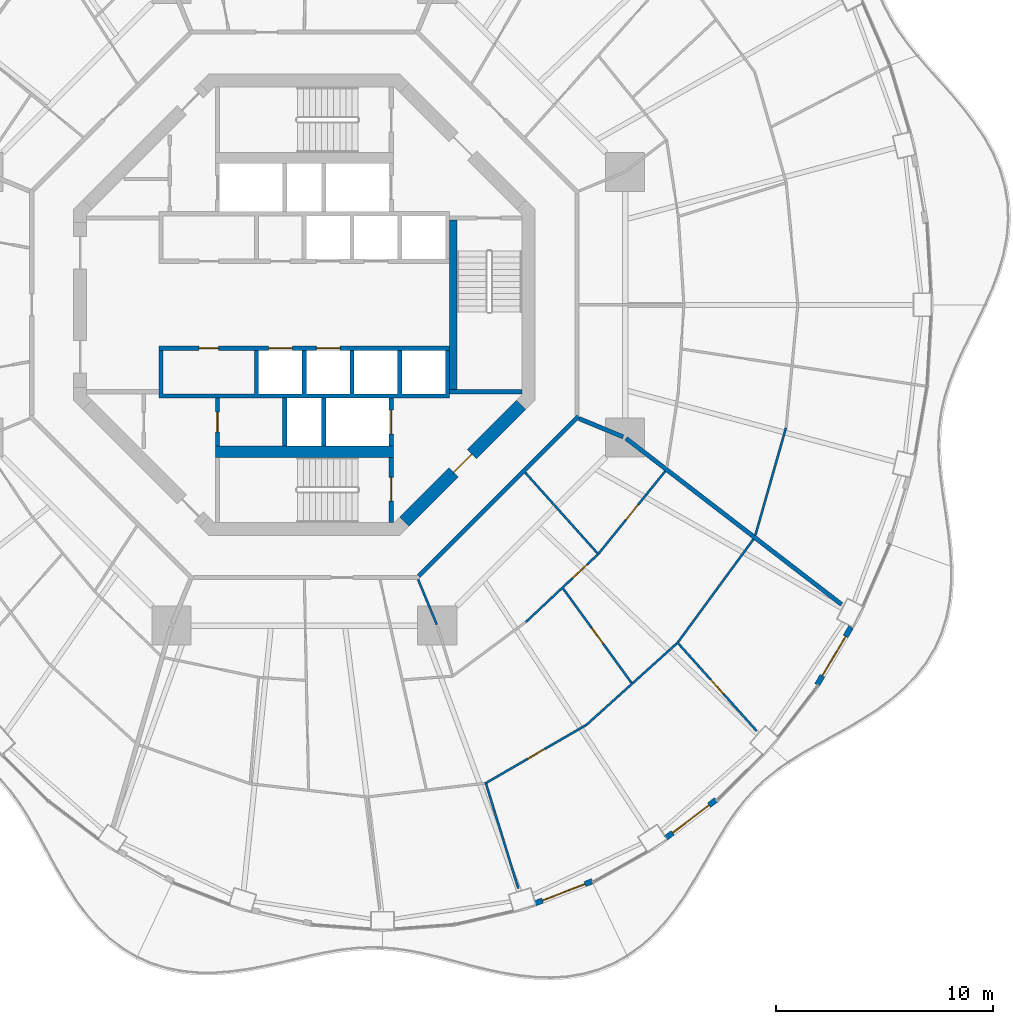
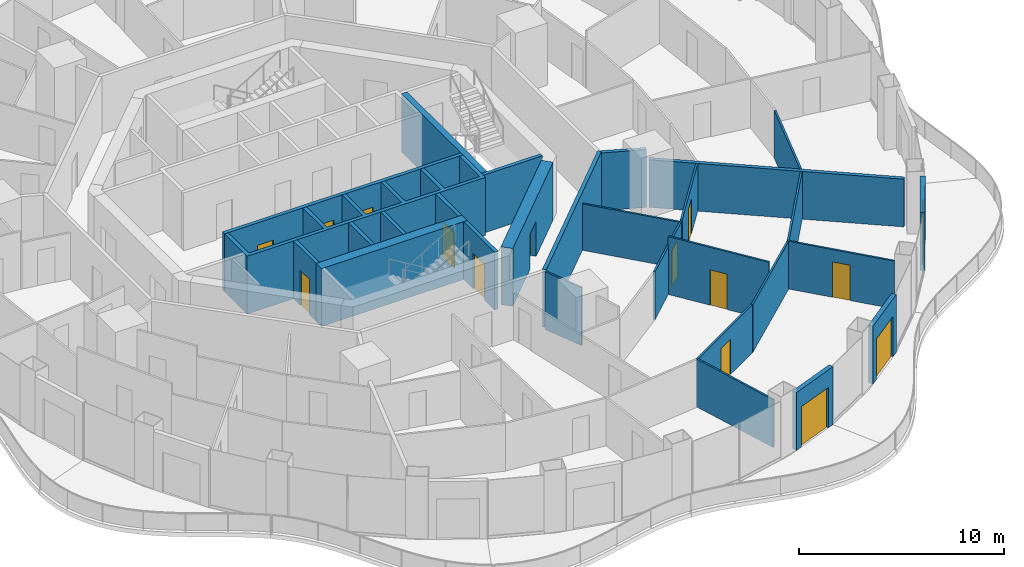
# One storey, part 12 of 19: 28 walls, 15 doors, 15 openings.
"""IFC4 building model written with IfcOpenShell, lengths in metres."""

from ifc_helpers import new_model, si_unit, direction, frame, frame_2d, origin, place, context, subcontext, project, spatial, polyline, rectangle, outline, extrude, material, layer, layer_set, type_object, element, fill, save


model = new_model("IFC4")

# Units and contexts
model_context = context("Model", 3, precision=1e-05, world=origin(), true_north=direction((0.0, 1.0)))
body_context = subcontext(model_context, "Body", "Model", "MODEL_VIEW")
ifc_project = project(units=[si_unit("LENGTHUNIT", "METRE"), si_unit("AREAUNIT", "SQUARE_METRE"), si_unit("VOLUMEUNIT", "CUBIC_METRE"), si_unit("PLANEANGLEUNIT", "RADIAN"), si_unit("MASSUNIT", "GRAM", prefix="KILO")], contexts=[model_context])

# Site, building, storey
site_placement = place(None, origin())
site = spatial("IfcSite", under=ifc_project, at=site_placement, CompositionType="ELEMENT")
building_placement = place(site_placement, origin())
building = spatial("IfcBuilding", under=site, at=building_placement, Name="Nagisa Residences", CompositionType="ELEMENT")
storey_placement = place(building_placement, frame((0.0, 0.0, 188.10009765625)))
storey = spatial("IfcBuildingStorey", under=building, at=storey_placement, Name="L47", CompositionType="ELEMENT", Elevation=188.10009765625)

# Walls
ifc_material_1 = material(Name="Gypsum board on steel studs", Category="steel")
ifc_layer_1 = layer(ifc_material_1, 0.199951171875)
ifc_layer_set_1 = layer_set([ifc_layer_1], Name="Apartment compartment wall EI60 200")
wall_type_1 = type_object("IfcWallType", Name="Apartment compartment wall EI60 200", PredefinedType="PARTITIONING", material=ifc_layer_set_1)
wall_1_placement = place(storey_placement, frame((12.6572265625, -5.24267578125, 0.0), z_axis=(0.0, 0.0, 1.0), x_axis=(0.92383017907, -0.382802560388, 0.0)))
element("IfcWall", 1, at=wall_1_placement, inside=storey, type_object=wall_type_1, Name="wall:L47:u08", PredefinedType="PARTITIONING", context=body_context, shape_type="SweptSolid", body=[
    extrude(rectangle(XDim=2.2001953125, YDim=0.199951171875, at=frame_2d((1.10009765625, 0.0))), origin(), (0.0, 0.0, 1.0), 3.43994140625),
])
wall_2_placement = place(storey_placement, frame((14.82177734375, -6.153564453125, 0.0), z_axis=(0.0, 0.0, 1.0), x_axis=(0.792203056092, -0.610257583254, 0.0)))
element("IfcWall", 2, at=wall_2_placement, inside=storey, type_object=wall_type_1, Name="wall:L47:u09", PredefinedType="PARTITIONING", context=body_context, shape_type="SweptSolid", body=[
    extrude(rectangle(XDim=12.53271484375, YDim=0.199951171875, at=frame_2d((6.266357421875, 0.0))), origin(), (0.0, 0.0, 1.0), 2.8369140625),
])
ifc_material_2 = material(Name="Gypsum board on steel studs", Category="steel")
ifc_layer_2 = layer(ifc_material_2, 0.199951171875)
ifc_layer_set_2 = layer_set([ifc_layer_2], Name="Apartment entry wall EI60 200")
wall_type_2 = type_object("IfcWallType", Name="Apartment entry wall EI60 200", PredefinedType="PARTITIONING", material=ifc_layer_set_2)
wall_3_placement = place(storey_placement, frame((5.275146484375, -12.494140625, 0.0), z_axis=(0.0, 0.0, 1.0), x_axis=(0.707106781187, 0.707106781187, 0.0)))
element("IfcWall", 3, at=wall_3_placement, inside=storey, type_object=wall_type_2, Name="wall:L47:u17", PredefinedType="PARTITIONING", context=body_context, shape_type="SweptSolid", body=[
    extrude(rectangle(XDim=10.4091796875, YDim=0.199951171875, at=frame_2d((5.20458984375, 0.0))), origin(), (0.0, 0.0, 1.0), 3.43994140625),
])
ifc_material_3 = material(Name="Gypsum board on steel studs", Category="steel")
ifc_layer_3 = layer(ifc_material_3, 0.10009765625)
ifc_layer_set_3 = layer_set([ifc_layer_3], Name="Apartment partition 100")
wall_type_3 = type_object("IfcWallType", Name="Apartment partition 100", PredefinedType="PARTITIONING", material=ifc_layer_set_3)
wall_4_placement = place(storey_placement, frame((5.24267578125, -12.6572265625, 0.0), z_axis=(0.0, 0.0, 1.0), x_axis=(0.382719158442, -0.923864733477, 0.0)))
element("IfcWall", 4, at=wall_4_placement, inside=storey, type_object=wall_type_3, Name="wall:L47:u82", PredefinedType="PARTITIONING", context=body_context, shape_type="SweptSolid", body=[
    extrude(rectangle(XDim=2.25, YDim=0.10009765625, at=frame_2d((1.125, 0.0))), origin(), (0.0, 0.0, 1.0), 3.43994140625),
])
wall_5_placement = place(storey_placement, frame((8.346923828125, -21.990478515625, 0.0), z_axis=(0.0, 0.0, 1.0), x_axis=(0.294828785667, -0.955550096616, 0.0)))
element("IfcWall", 5, at=wall_5_placement, inside=storey, type_object=wall_type_3, Name="wall:L47:u85", PredefinedType="PARTITIONING", context=body_context, shape_type="SweptSolid", body=[
    extrude(rectangle(XDim=5.125732421875, YDim=0.10009765625, at=frame_2d((2.56298828125, 0.0))), origin(), (0.0, 0.0, 1.0), 2.8369140625),
])

# Wall, opening, door
wall_6_placement = place(storey_placement, frame((8.405029296875, -22.01318359375, 0.0), z_axis=(0.0, 0.0, 1.0), x_axis=(0.865277177388, 0.501293732547, 0.0)))
wall_6 = element("IfcWall", 6, at=wall_6_placement, inside=storey, type_object=wall_type_3, Name="wall:L47:u86", PredefinedType="PARTITIONING", context=body_context, shape_type="SweptSolid", body=[
    extrude(rectangle(XDim=5.27001953125, YDim=0.10009765625, at=frame_2d((2.635009765625, 0.0))), origin(), (0.0, 0.0, 1.0), 2.8369140625),
])
opening_1_placement = place(wall_6_placement, frame((2.18505859375, 0.0, 0.0)))
opening_1 = element("IfcOpeningElement", 7, at=opening_1_placement, cuts=wall_6, Name="Opening L47-U29", PredefinedType="OPENING", context=body_context, shape_type="SweptSolid", body=[
    extrude(rectangle(XDim=0.89990234375, YDim=2.10009765625, at=frame_2d((0.449951171875, 1.050048828125))), frame((0.0, 0.06005859375, 0.0), z_axis=(0.0, -1.0, 0.0), x_axis=(1.0, 0.0, 0.0)), (0.0, 0.0, 1.0), 0.1201171875),
])
ifc_material_4 = material(Name="Timber door set", Category="wood")
door_type_1 = type_object("IfcDoorType", Name="Apartment door 900x2100", OperationType="NOTDEFINED", PredefinedType="DOOR", material=ifc_material_4)
door_1_placement = place(opening_1_placement, frame((0.89990234375, 0.0, 0.0), x_axis=(-1.0, 0.0, 0.0)))
door_1 = element("IfcDoor", 8, at=door_1_placement, inside=storey, type_object=door_type_1, Name="Door to family room, Apartment 47C", OperationType="SINGLE_SWING_RIGHT", OverallHeight=2.10009765625, OverallWidth=0.89990234375, PredefinedType="DOOR", context=body_context, shape_type="SweptSolid", body=[
    extrude(rectangle(XDim=0.89990234375, YDim=2.10009765625, at=frame_2d((0.449951171875, 1.050048828125))), frame((0.0, 0.02490234375, 0.0), z_axis=(0.0, -1.0, 0.0), x_axis=(1.0, 0.0, 0.0)), (0.0, 0.0, 1.0), 0.050048828125),
])
fill(opening_1, door_1)

wall_7_placement = place(storey_placement, frame((10.21044921875, -14.614013671875, 0.0), z_axis=(0.0, 0.0, 1.0), x_axis=(0.728883199496, 0.684638066055, 0.0)))
wall_7 = element("IfcWall", 9, at=wall_7_placement, inside=storey, type_object=wall_type_3, Name="wall:L47:u87", PredefinedType="PARTITIONING", context=body_context, shape_type="SweptSolid", body=[
    extrude(rectangle(XDim=4.519287109375, YDim=0.10009765625, at=frame_2d((2.259765625, 0.0))), origin(), (0.0, 0.0, 1.0), 2.8369140625),
])
opening_2_placement = place(wall_7_placement, frame((2.96435546875, 0.0, 0.0)))
opening_2 = element("IfcOpeningElement", 10, at=opening_2_placement, cuts=wall_7, Name="Opening L47-U31", PredefinedType="OPENING", context=body_context, shape_type="SweptSolid", body=[
    extrude(rectangle(XDim=0.89990234375, YDim=2.10009765625, at=frame_2d((0.449951171875, 1.050048828125))), frame((0.0, 0.06005859375, 0.0), z_axis=(0.0, -1.0, 0.0), x_axis=(1.0, 0.0, 0.0)), (0.0, 0.0, 1.0), 0.1201171875),
])
door_2_placement = place(opening_2_placement, origin())
door_2 = element("IfcDoor", 11, at=door_2_placement, inside=storey, type_object=door_type_1, Name="Door to store, Apartment 47C", OperationType="SINGLE_SWING_LEFT", OverallHeight=2.10009765625, OverallWidth=0.89990234375, PredefinedType="DOOR", context=body_context, shape_type="SweptSolid", body=[
    extrude(rectangle(XDim=0.89990234375, YDim=2.10009765625, at=frame_2d((0.449951171875, 1.050048828125))), frame((0.0, 0.02490234375, 0.0), z_axis=(0.0, -1.0, 0.0), x_axis=(1.0, 0.0, 0.0)), (0.0, 0.0, 1.0), 0.050048828125),
])
fill(opening_2, door_2)

# Wall
wall_8_placement = place(storey_placement, frame((12.97119140625, -19.3798828125, 0.0), z_axis=(0.0, 0.0, 1.0), x_axis=(0.742768881471, 0.669547898748, 0.0)))
element("IfcWall", 12, at=wall_8_placement, inside=storey, type_object=wall_type_3, Name="wall:L47:u88", PredefinedType="PARTITIONING", context=body_context, shape_type="SweptSolid", body=[
    extrude(rectangle(XDim=5.6416015625, YDim=0.10009765625, at=frame_2d((2.82080078125, 0.0))), origin(), (0.0, 0.0, 1.0), 2.8369140625),
])

# Wall, opening, door
wall_9_placement = place(storey_placement, frame((11.923095703125, -13.0732421875, 0.0), z_axis=(0.0, 0.0, 1.0), x_axis=(0.587178522891, -0.809457461672, 0.0)))
wall_9 = element("IfcWall", 13, at=wall_9_placement, inside=storey, type_object=wall_type_3, Name="wall:L47:u89", PredefinedType="PARTITIONING", context=body_context, shape_type="SweptSolid", body=[
    extrude(rectangle(XDim=5.366455078125, YDim=0.10009765625, at=frame_2d((2.68310546875, 0.0))), origin(), (0.0, 0.0, 1.0), 3.43994140625),
])
opening_3_placement = place(wall_9_placement, frame((2.233154296875, 0.0, 0.0)))
opening_3 = element("IfcOpeningElement", 14, at=opening_3_placement, cuts=wall_9, Name="Opening L47-U26", PredefinedType="OPENING", context=body_context, shape_type="SweptSolid", body=[
    extrude(rectangle(XDim=0.89990234375, YDim=2.10009765625, at=frame_2d((0.449951171875, 1.050048828125))), frame((0.0, 0.06005859375, 0.0), z_axis=(0.0, -1.0, 0.0), x_axis=(1.0, 0.0, 0.0)), (0.0, 0.0, 1.0), 0.1201171875),
])
door_3_placement = place(opening_3_placement, origin())
door_3 = element("IfcDoor", 15, at=door_3_placement, inside=storey, type_object=door_type_1, Name="Door to kitchen, Apartment 47C", OperationType="SINGLE_SWING_RIGHT", OverallHeight=2.10009765625, OverallWidth=0.89990234375, PredefinedType="DOOR", context=body_context, shape_type="SweptSolid", body=[
    extrude(rectangle(XDim=0.89990234375, YDim=2.10009765625, at=frame_2d((0.449951171875, 1.050048828125))), frame((0.0, 0.02490234375, 0.0), z_axis=(0.0, -1.0, 0.0), x_axis=(1.0, 0.0, 0.0)), (0.0, 0.0, 1.0), 0.050048828125),
])
fill(opening_3, door_3)

# Wall
wall_10_placement = place(storey_placement, frame((10.177978515625, -7.732421875, 0.0), z_axis=(0.0, 0.0, 1.0), x_axis=(0.667285466359, -0.744802058527, 0.0)))
element("IfcWall", 16, at=wall_10_placement, inside=storey, type_object=wall_type_3, Name="wall:L47:u90", PredefinedType="PARTITIONING", context=body_context, shape_type="SweptSolid", body=[
    extrude(rectangle(XDim=5.089599609375, YDim=0.10009765625, at=frame_2d((2.544921875, 0.0))), origin(), (0.0, 0.0, 1.0), 2.755859375),
])

# Wall, opening, door
wall_11_placement = place(storey_placement, frame((13.572265625, -11.447021484375, 0.0), z_axis=(0.0, 0.0, 1.0), x_axis=(0.628738316533, 0.777616955399, 0.0)))
wall_11 = element("IfcWall", 17, at=wall_11_placement, inside=storey, type_object=wall_type_3, Name="wall:L47:u91", PredefinedType="PARTITIONING", context=body_context, shape_type="SweptSolid", body=[
    extrude(rectangle(XDim=4.857177734375, YDim=0.10009765625, at=frame_2d((2.4287109375, 0.0))), origin(), (0.0, 0.0, 1.0), 2.8369140625),
])
opening_4_placement = place(wall_11_placement, frame((1.978759765625, 0.0, 0.0)))
opening_4 = element("IfcOpeningElement", 18, at=opening_4_placement, cuts=wall_11, Name="Opening L47-U32", PredefinedType="OPENING", context=body_context, shape_type="SweptSolid", body=[
    extrude(rectangle(XDim=0.89990234375, YDim=2.10009765625, at=frame_2d((0.449951171875, 1.050048828125))), frame((0.0, 0.06005859375, 0.0), z_axis=(0.0, -1.0, 0.0), x_axis=(1.0, 0.0, 0.0)), (0.0, 0.0, 1.0), 0.1201171875),
])
door_4_placement = place(opening_4_placement, origin())
door_4 = element("IfcDoor", 19, at=door_4_placement, inside=storey, type_object=door_type_1, Name="Door to laundry, Apartment 47C", OperationType="SINGLE_SWING_RIGHT", OverallHeight=2.10009765625, OverallWidth=0.89990234375, PredefinedType="DOOR", context=body_context, shape_type="SweptSolid", body=[
    extrude(rectangle(XDim=0.89990234375, YDim=2.10009765625, at=frame_2d((0.449951171875, 1.050048828125))), frame((0.0, 0.02490234375, 0.0), z_axis=(0.0, -1.0, 0.0), x_axis=(1.0, 0.0, 0.0)), (0.0, 0.0, 1.0), 0.050048828125),
])
fill(opening_4, door_4)

wall_12_placement = place(storey_placement, frame((17.16552734375, -15.53173828125, 0.0), z_axis=(0.0, 0.0, 1.0), x_axis=(0.66728415915, -0.744803229684, 0.0)))
wall_12 = element("IfcWall", 20, at=wall_12_placement, inside=storey, type_object=wall_type_3, Name="wall:L47:u92", PredefinedType="PARTITIONING", context=body_context, shape_type="SweptSolid", body=[
    extrude(rectangle(XDim=5.511474609375, YDim=0.10009765625, at=frame_2d((2.755859375, 0.0))), origin(), (0.0, 0.0, 1.0), 2.8369140625),
])
opening_5_placement = place(wall_12_placement, frame((2.330810546875, 0.0, 0.0)))
opening_5 = element("IfcOpeningElement", 21, at=opening_5_placement, cuts=wall_12, Name="Opening L47-U30", PredefinedType="OPENING", context=body_context, shape_type="SweptSolid", body=[
    extrude(rectangle(XDim=0.89990234375, YDim=2.10009765625, at=frame_2d((0.449951171875, 1.050048828125))), frame((0.0, 0.06005859375, 0.0), z_axis=(0.0, -1.0, 0.0), x_axis=(1.0, 0.0, 0.0)), (0.0, 0.0, 1.0), 0.1201171875),
])
door_5_placement = place(opening_5_placement, origin())
door_5 = element("IfcDoor", 22, at=door_5_placement, inside=storey, type_object=door_type_1, Name="Door to master bedroom, Apartment 47C", OperationType="SINGLE_SWING_RIGHT", OverallHeight=2.10009765625, OverallWidth=0.89990234375, PredefinedType="DOOR", context=body_context, shape_type="SweptSolid", body=[
    extrude(rectangle(XDim=0.89990234375, YDim=2.10009765625, at=frame_2d((0.449951171875, 1.050048828125))), frame((0.0, 0.02490234375, 0.0), z_axis=(0.0, -1.0, 0.0), x_axis=(1.0, 0.0, 0.0)), (0.0, 0.0, 1.0), 0.050048828125),
])
fill(opening_5, door_5)

# Walls
wall_13_placement = place(storey_placement, frame((17.228515625, -15.528564453125, 0.0), z_axis=(0.0, 0.0, 1.0), x_axis=(0.591110768293, 0.806590391468, 0.0)))
element("IfcWall", 23, at=wall_13_placement, inside=storey, type_object=wall_type_3, Name="wall:L47:u93", PredefinedType="PARTITIONING", context=body_context, shape_type="SweptSolid", body=[
    extrude(rectangle(XDim=5.85986328125, YDim=0.10009765625, at=frame_2d((2.929931640625, 0.0))), origin(), (0.0, 0.0, 1.0), 2.8369140625),
])
wall_14_placement = place(storey_placement, frame((20.77880859375, -10.625244140625, 0.0), z_axis=(0.0, 0.0, 1.0), x_axis=(0.273819702124, 0.961781040949, 0.0)))
element("IfcWall", 24, at=wall_14_placement, inside=storey, type_object=wall_type_3, Name="wall:L47:u95", PredefinedType="PARTITIONING", context=body_context, shape_type="SweptSolid", body=[
    extrude(rectangle(XDim=5.151611328125, YDim=0.10009765625, at=frame_2d((2.57568359375, 0.0))), origin(), (0.0, 0.0, 1.0), 2.8369140625),
])

# Wall, opening, door
ifc_material_5 = material(Name="Precast concrete C40/50", Category="concrete")
ifc_layer_4 = layer(ifc_material_5, 0.25)
ifc_layer_set_4 = layer_set([ifc_layer_4], Name="BALCONY DOOR WALL 250")
wall_type_4 = type_object("IfcWallType", Name="BALCONY DOOR WALL 250", PredefinedType="SOLIDWALL", material=ifc_layer_set_4)
wall_15_placement = place(storey_placement, frame((13.265625, -26.560302734375, 0.0), z_axis=(0.0, 0.0, 1.0), x_axis=(-0.932806734513, -0.360377019311, 0.0)))
wall_15 = element("IfcWall", 25, at=wall_15_placement, inside=storey, type_object=wall_type_4, Name="wall:L47:bay38", PredefinedType="SOLIDWALL", context=body_context, shape_type="SweptSolid", body=[
    extrude(rectangle(XDim=2.819580078125, YDim=0.25, at=frame_2d((1.40966796875, 0.0))), origin(), (0.0, 0.0, 1.0), 3.43994140625),
])
opening_6_placement = place(wall_15_placement, frame((0.359619140625, 0.0, 0.0)))
opening_6 = element("IfcOpeningElement", 26, at=opening_6_placement, cuts=wall_15, Name="Opening BD-L47-13", PredefinedType="OPENING", context=body_context, shape_type="SweptSolid", body=[
    extrude(rectangle(XDim=2.10009765625, YDim=2.39990234375, at=frame_2d((1.050048828125, 1.199951171875))), frame((0.0, 0.135009765625, 0.0), z_axis=(0.0, -1.0, 0.0), x_axis=(1.0, 0.0, 0.0)), (0.0, 0.0, 1.0), 0.27001953125),
])
ifc_material_6 = material(Name="Aluminium and clear glass", Category="aluminium")
door_type_2 = type_object("IfcDoorType", Name="BALCONY SLIDING DOOR 2100x2400", OperationType="SLIDING_TO_LEFT", PredefinedType="DOOR", material=ifc_material_6)
door_6_placement = place(opening_6_placement, origin())
door_6 = element("IfcDoor", 27, at=door_6_placement, inside=storey, type_object=door_type_2, Name="door:L47:bay38", OperationType="SLIDING_TO_LEFT", OverallHeight=2.39990234375, OverallWidth=2.10009765625, PredefinedType="DOOR", context=body_context, shape_type="SweptSolid", body=[
    extrude(rectangle(XDim=2.10009765625, YDim=2.39990234375, at=frame_2d((1.050048828125, 1.199951171875))), frame((0.0, 0.02490234375, 0.0), z_axis=(0.0, -1.0, 0.0), x_axis=(1.0, 0.0, 0.0)), (0.0, 0.0, 1.0), 0.050048828125),
])
fill(opening_6, door_6)

wall_16_placement = place(storey_placement, frame((18.9716796875, -22.80859375, 0.0), z_axis=(0.0, 0.0, 1.0), x_axis=(-0.796055733703, -0.60522332146, 0.0)))
wall_16 = element("IfcWall", 28, at=wall_16_placement, inside=storey, type_object=wall_type_4, Name="wall:L47:bay40", PredefinedType="SOLIDWALL", context=body_context, shape_type="SweptSolid", body=[
    extrude(rectangle(XDim=2.9169921875, YDim=0.25, at=frame_2d((1.45849609375, 0.0))), origin(), (0.0, 0.0, 1.0), 3.43994140625),
])
opening_7_placement = place(wall_16_placement, frame((0.408447265625, 0.0, 0.0)))
opening_7 = element("IfcOpeningElement", 29, at=opening_7_placement, cuts=wall_16, Name="Opening BD-L47-14", PredefinedType="OPENING", context=body_context, shape_type="SweptSolid", body=[
    extrude(rectangle(XDim=2.10009765625, YDim=2.39990234375, at=frame_2d((1.050048828125, 1.199951171875))), frame((0.0, 0.135009765625, 0.0), z_axis=(0.0, -1.0, 0.0), x_axis=(1.0, 0.0, 0.0)), (0.0, 0.0, 1.0), 0.27001953125),
])
door_7_placement = place(opening_7_placement, origin())
door_7 = element("IfcDoor", 30, at=door_7_placement, inside=storey, type_object=door_type_2, Name="door:L47:bay40", OperationType="SLIDING_TO_LEFT", OverallHeight=2.39990234375, OverallWidth=2.10009765625, PredefinedType="DOOR", context=body_context, shape_type="SweptSolid", body=[
    extrude(rectangle(XDim=2.10009765625, YDim=2.39990234375, at=frame_2d((1.050048828125, 1.199951171875))), frame((0.0, 0.02490234375, 0.0), z_axis=(0.0, -1.0, 0.0), x_axis=(1.0, 0.0, 0.0)), (0.0, 0.0, 1.0), 0.050048828125),
])
fill(opening_7, door_7)

wall_17_placement = place(storey_placement, frame((25.189208984375, -14.848388671875, 0.0), z_axis=(0.0, 0.0, 1.0), x_axis=(-0.506367803691, -0.862317602386, 0.0)))
wall_17 = element("IfcWall", 31, at=wall_17_placement, inside=storey, type_object=wall_type_4, Name="wall:L47:bay43", PredefinedType="SOLIDWALL", context=body_context, shape_type="SweptSolid", body=[
    extrude(rectangle(XDim=3.092041015625, YDim=0.25, at=frame_2d((1.5458984375, 0.0))), origin(), (0.0, 0.0, 1.0), 3.43994140625),
])
opening_8_placement = place(wall_17_placement, frame((0.495849609375, 0.0, 0.0)))
opening_8 = element("IfcOpeningElement", 32, at=opening_8_placement, cuts=wall_17, Name="Opening BD-L47-15", PredefinedType="OPENING", context=body_context, shape_type="SweptSolid", body=[
    extrude(rectangle(XDim=2.10009765625, YDim=2.39990234375, at=frame_2d((1.050048828125, 1.199951171875))), frame((0.0, 0.135009765625, 0.0), z_axis=(0.0, -1.0, 0.0), x_axis=(1.0, 0.0, 0.0)), (0.0, 0.0, 1.0), 0.27001953125),
])
door_8_placement = place(opening_8_placement, origin())
door_8 = element("IfcDoor", 33, at=door_8_placement, inside=storey, type_object=door_type_2, Name="door:L47:bay43", OperationType="SLIDING_TO_LEFT", OverallHeight=2.39990234375, OverallWidth=2.10009765625, PredefinedType="DOOR", context=body_context, shape_type="SweptSolid", body=[
    extrude(rectangle(XDim=2.10009765625, YDim=2.39990234375, at=frame_2d((1.050048828125, 1.199951171875))), frame((0.0, 0.02490234375, 0.0), z_axis=(0.0, -1.0, 0.0), x_axis=(1.0, 0.0, 0.0)), (0.0, 0.0, 1.0), 0.050048828125),
])
fill(opening_8, door_8)

ifc_material_7 = material(Name="Concrete C60", Category="concrete")
ifc_layer_5 = layer(ifc_material_7, 0.60009765625)
ifc_layer_set_5 = layer_set([ifc_layer_5], Name="Core shear wall 600")
wall_type_5 = type_object("IfcWallType", Name="Core shear wall 600", PredefinedType="SHEAR", material=ifc_layer_set_5)
wall_18_placement = place(storey_placement, frame((4.613037109375, -9.98828125, 0.0), z_axis=(0.0, 0.0, 1.0), x_axis=(0.707106781187, 0.707106781187, 0.0)))
wall_18 = element("IfcWall", 34, at=wall_18_placement, inside=storey, type_object=wall_type_5, Name="wall:L47:core:flat7", PredefinedType="SHEAR", context=body_context, shape_type="SweptSolid", body=[
    extrude(rectangle(XDim=7.601806640625, YDim=0.60009765625, at=frame_2d((3.80078125, 0.0))), origin(), (0.0, 0.0, 1.0), 3.43994140625),
])
opening_9_placement = place(wall_18_placement, frame((3.200927734375, 0.0, 0.0)))
opening_9 = element("IfcOpeningElement", 35, at=opening_9_placement, cuts=wall_18, Name="Opening L47-C19", PredefinedType="OPENING", context=body_context, shape_type="SweptSolid", body=[
    extrude(rectangle(XDim=1.199951171875, YDim=2.10009765625, at=frame_2d((0.60009765625, 1.050048828125))), frame((0.0, 0.31005859375, 0.0), z_axis=(0.0, -1.0, 0.0), x_axis=(1.0, 0.0, 0.0)), (0.0, 0.0, 1.0), 0.6201171875),
])
ifc_material_8 = material(Name="Steel fire door", Category="steel")
door_type_3 = type_object("IfcDoorType", Name="Fire door EI60 1200x2100 single swing", OperationType="NOTDEFINED", PredefinedType="DOOR", material=ifc_material_8)
door_9_placement = place(opening_9_placement, origin())
door_9 = element("IfcDoor", 36, at=door_9_placement, inside=storey, type_object=door_type_3, Name="Firefighting lobby 2 door L47", OperationType="SINGLE_SWING_RIGHT", OverallHeight=2.10009765625, OverallWidth=1.199951171875, PredefinedType="DOOR", context=body_context, shape_type="SweptSolid", body=[
    extrude(rectangle(XDim=1.199951171875, YDim=2.10009765625, at=frame_2d((0.60009765625, 1.050048828125))), frame((0.0, 0.02490234375, 0.0), z_axis=(0.0, -1.0, 0.0), x_axis=(1.0, 0.0, 0.0)), (0.0, 0.0, 1.0), 0.050048828125),
])
fill(opening_9, door_9)

ifc_material_9 = material(Name="Concrete C60", Category="concrete")
ifc_layer_6 = layer(ifc_material_9, 0.199951171875)
ifc_layer_set_6 = layer_set([ifc_layer_6], Name="Lift shaft wall 200")
wall_type_6 = type_object("IfcWallType", Name="Lift shaft wall 200", PredefinedType="SOLIDWALL", material=ifc_layer_set_6)
wall_19_placement = place(storey_placement, frame((4.0, -6.5, 0.0), z_axis=(0.0, 0.0, 1.0), x_axis=(0.0, 1.0, 0.0)))
wall_19 = element("IfcWall", 37, at=wall_19_placement, inside=storey, type_object=wall_type_6, Name="wall:L47:Sb3", PredefinedType="SOLIDWALL", context=body_context, shape_type="SweptSolid", body=[
    extrude(rectangle(XDim=2.199951171875, YDim=0.199951171875, at=frame_2d((1.10009765625, 0.0))), origin(), (0.0, 0.0, 1.0), 3.43994140625),
])
opening_10_placement = place(wall_19_placement, frame((0.550048828125, 0.0, 0.0)))
opening_10 = element("IfcOpeningElement", 38, at=opening_10_placement, cuts=wall_19, Name="Opening L47-C06", PredefinedType="OPENING", context=body_context, shape_type="SweptSolid", body=[
    extrude(rectangle(XDim=1.10009765625, YDim=2.10009765625, at=frame_2d((0.550048828125, 1.050048828125))), frame((0.0, 0.10986328125, 0.0), z_axis=(0.0, -1.0, 0.0), x_axis=(1.0, 0.0, 0.0)), (0.0, 0.0, 1.0), 0.219970703125),
])
ifc_material_10 = material(Name="Stainless steel", Category="steel")
door_type_4 = type_object("IfcDoorType", Name="Lift landing door 1100x2100", OperationType="DOUBLE_DOOR_SLIDING", PredefinedType="DOOR", material=ifc_material_10)
door_10_placement = place(opening_10_placement, origin())
door_10 = element("IfcDoor", 39, at=door_10_placement, inside=storey, type_object=door_type_4, Name="Landing door FL2 L47", OperationType="DOUBLE_DOOR_SLIDING", OverallHeight=2.10009765625, OverallWidth=1.10009765625, PredefinedType="DOOR", context=body_context, shape_type="SweptSolid", body=[
    extrude(rectangle(XDim=1.10009765625, YDim=2.10009765625, at=frame_2d((0.550048828125, 1.050048828125))), frame((0.0, 0.02490234375, 0.0), z_axis=(0.0, -1.0, 0.0), x_axis=(1.0, 0.0, 0.0)), (0.0, 0.0, 1.0), 0.050048828125),
])
fill(opening_10, door_10)

wall_20_placement = place(storey_placement, frame((-4.0, -6.5, 0.0), z_axis=(0.0, 0.0, 1.0), x_axis=(0.0, 1.0, 0.0)))
wall_20 = element("IfcWall", 40, at=wall_20_placement, inside=storey, type_object=wall_type_6, Name="wall:L47:Sb4", PredefinedType="SOLIDWALL", context=body_context, shape_type="SweptSolid", body=[
    extrude(rectangle(XDim=2.199951171875, YDim=0.199951171875, at=frame_2d((1.10009765625, 0.0))), origin(), (0.0, 0.0, 1.0), 3.43994140625),
])
opening_11_placement = place(wall_20_placement, frame((0.64990234375, 0.0, 0.0)))
opening_11 = element("IfcOpeningElement", 41, at=opening_11_placement, cuts=wall_20, Name="Opening L47-C14", PredefinedType="OPENING", context=body_context, shape_type="SweptSolid", body=[
    extrude(rectangle(XDim=0.89990234375, YDim=2.10009765625, at=frame_2d((0.449951171875, 1.050048828125))), frame((0.0, 0.10986328125, 0.0), z_axis=(0.0, -1.0, 0.0), x_axis=(1.0, 0.0, 0.0)), (0.0, 0.0, 1.0), 0.219970703125),
])
ifc_material_11 = material(Name="Steel fire door", Category="steel")
door_type_5 = type_object("IfcDoorType", Name="Fire door EI30 900x2100 single swing", OperationType="NOTDEFINED", PredefinedType="DOOR", material=ifc_material_11)
door_11_placement = place(opening_11_placement, frame((0.89990234375, 0.0, 0.0), x_axis=(-1.0, 0.0, 0.0)))
door_11 = element("IfcDoor", 42, at=door_11_placement, inside=storey, type_object=door_type_5, Name="Refuse room door L47", OperationType="SINGLE_SWING_LEFT", OverallHeight=2.10009765625, OverallWidth=0.89990234375, PredefinedType="DOOR", context=body_context, shape_type="SweptSolid", body=[
    extrude(rectangle(XDim=0.89990234375, YDim=2.10009765625, at=frame_2d((0.449951171875, 1.050048828125))), frame((0.0, 0.02490234375, 0.0), z_axis=(0.0, -1.0, 0.0), x_axis=(1.0, 0.0, 0.0)), (0.0, 0.0, 1.0), 0.050048828125),
])
fill(opening_11, door_11)

# Wall, openings, doors
wall_21_placement = place(storey_placement, frame((-6.699951171875, -2.0, 0.0), z_axis=(0.0, 0.0, 1.0), x_axis=(1.0, 0.0, 0.0)))
wall_21 = element("IfcWall", 43, at=wall_21_placement, inside=storey, type_object=wall_type_6, Name="wall:L47:Sfront", PredefinedType="SOLIDWALL", context=body_context, shape_type="SweptSolid", body=[
    extrude(rectangle(XDim=13.39990234375, YDim=0.199951171875, at=frame_2d((6.699951171875, 0.0))), origin(), (0.0, 0.0, 1.0), 3.43994140625),
])
opening_12_placement = place(wall_21_placement, frame((5.050048828125, 0.0, 0.0)))
opening_12 = element("IfcOpeningElement", 44, at=opening_12_placement, cuts=wall_21, Name="Opening L47-C03", PredefinedType="OPENING", context=body_context, shape_type="SweptSolid", body=[
    extrude(rectangle(XDim=1.10009765625, YDim=2.10009765625, at=frame_2d((0.550048828125, 1.050048828125))), frame((0.0, 0.10986328125, 0.0), z_axis=(0.0, -1.0, 0.0), x_axis=(1.0, 0.0, 0.0)), (0.0, 0.0, 1.0), 0.219970703125),
])
opening_13_placement = place(wall_21_placement, frame((7.25, 0.0, 0.0)))
opening_13 = element("IfcOpeningElement", 45, at=opening_13_placement, cuts=wall_21, Name="Opening L47-C04", PredefinedType="OPENING", context=body_context, shape_type="SweptSolid", body=[
    extrude(rectangle(XDim=1.10009765625, YDim=2.10009765625, at=frame_2d((0.550048828125, 1.050048828125))), frame((0.0, 0.10986328125, 0.0), z_axis=(0.0, -1.0, 0.0), x_axis=(1.0, 0.0, 0.0)), (0.0, 0.0, 1.0), 0.219970703125),
])
opening_14_placement = place(wall_21_placement, frame((1.85009765625, 0.0, 0.0)))
opening_14 = element("IfcOpeningElement", 46, at=opening_14_placement, cuts=wall_21, Name="Opening L47-C17", PredefinedType="OPENING", context=body_context, shape_type="SweptSolid", body=[
    extrude(rectangle(XDim=0.89990234375, YDim=2.10009765625, at=frame_2d((0.449951171875, 1.050048828125))), frame((0.0, 0.10986328125, 0.0), z_axis=(0.0, -1.0, 0.0), x_axis=(1.0, 0.0, 0.0)), (0.0, 0.0, 1.0), 0.219970703125),
])
door_12_placement = place(opening_14_placement, frame((0.89990234375, 0.0, 0.0), x_axis=(-1.0, 0.0, 0.0)))
door_12 = element("IfcDoor", 47, at=door_12_placement, inside=storey, type_object=door_type_5, Name="Housekeeping store door L47", OperationType="SINGLE_SWING_LEFT", OverallHeight=2.10009765625, OverallWidth=0.89990234375, PredefinedType="DOOR", context=body_context, shape_type="SweptSolid", body=[
    extrude(rectangle(XDim=0.89990234375, YDim=2.10009765625, at=frame_2d((0.449951171875, 1.050048828125))), frame((0.0, 0.02490234375, 0.0), z_axis=(0.0, -1.0, 0.0), x_axis=(1.0, 0.0, 0.0)), (0.0, 0.0, 1.0), 0.050048828125),
])
fill(opening_14, door_12)
door_13_placement = place(opening_12_placement, origin())
door_13 = element("IfcDoor", 48, at=door_13_placement, inside=storey, type_object=door_type_4, Name="Landing door B3 L47", OperationType="DOUBLE_DOOR_SLIDING", OverallHeight=2.10009765625, OverallWidth=1.10009765625, PredefinedType="DOOR", context=body_context, shape_type="SweptSolid", body=[
    extrude(rectangle(XDim=1.10009765625, YDim=2.10009765625, at=frame_2d((0.550048828125, 1.050048828125))), frame((0.0, 0.02490234375, 0.0), z_axis=(0.0, -1.0, 0.0), x_axis=(1.0, 0.0, 0.0)), (0.0, 0.0, 1.0), 0.050048828125),
])
fill(opening_12, door_13)
door_14_placement = place(opening_13_placement, origin())
door_14 = element("IfcDoor", 49, at=door_14_placement, inside=storey, type_object=door_type_4, Name="Landing door B4 L47", OperationType="DOUBLE_DOOR_SLIDING", OverallHeight=2.10009765625, OverallWidth=1.10009765625, PredefinedType="DOOR", context=body_context, shape_type="SweptSolid", body=[
    extrude(rectangle(XDim=1.10009765625, YDim=2.10009765625, at=frame_2d((0.550048828125, 1.050048828125))), frame((0.0, 0.02490234375, 0.0), z_axis=(0.0, -1.0, 0.0), x_axis=(1.0, 0.0, 0.0)), (0.0, 0.0, 1.0), 0.050048828125),
])
fill(opening_13, door_14)

# Walls
for number, where, z_axis, x_axis, name in (
    (50, (-0.89990234375, -6.5, 0.0), (0.0, 0.0, 1.0), (0.0, 1.0, 0.0), "wall:L47:Sb1"),
    (51, (0.89990234375, -6.5, 0.0), (0.0, 0.0, 1.0), (0.0, 1.0, 0.0), "wall:L47:Sb2"),
):
    element("IfcWall", number, at=place(storey_placement, frame(where, z_axis=z_axis, x_axis=x_axis)), inside=storey, type_object=wall_type_6, Name=name, PredefinedType="SOLIDWALL", context=body_context, shape_type="SweptSolid", body=[
        extrude(rectangle(XDim=2.199951171875, YDim=0.199951171875, at=frame_2d((1.10009765625, 0.0))), origin(), (0.0, 0.0, 1.0), 3.43994140625),
    ])
wall_22_placement = place(storey_placement, origin())
element("IfcWall", 52, at=wall_22_placement, inside=storey, type_object=wall_type_6, Name="wall:L47:Sback", PredefinedType="SOLIDWALL", context=body_context, shape_type="SweptSolid", body=[
    extrude(outline(polyline([(-6.699951171875, -2.10009765625), (-6.5, -2.10009765625), (-6.5, -4.10009765625), (-2.300048828125, -4.10009765625), (-2.300048828125, -2.10009765625), (-2.10009765625, -2.10009765625), (-2.10009765625, -4.10009765625), (-0.10009765625, -4.10009765625), (-0.10009765625, -2.10009765625), (0.10009765625, -2.10009765625), (0.10009765625, -4.10009765625), (2.10009765625, -4.10009765625), (2.10009765625, -2.10009765625), (2.300048828125, -2.10009765625), (2.300048828125, -4.10009765625), (4.300048828125, -4.10009765625), (4.300048828125, -2.10009765625), (4.5, -2.10009765625), (4.5, -4.10009765625), (6.5, -4.10009765625), (6.5, -2.10009765625), (6.699951171875, -2.10009765625), (6.699951171875, -4.300048828125), (-6.699951171875, -4.300048828125), (-6.699951171875, -2.10009765625)])), origin(), (0.0, 0.0, 1.0), 3.43994140625),
])

# Wall, opening, door
ifc_material_12 = material(Name="Concrete C60", Category="concrete")
ifc_layer_7 = layer(ifc_material_12, 0.199951171875)
ifc_layer_set_7 = layer_set([ifc_layer_7], Name="Stair enclosure wall 200")
wall_type_7 = type_object("IfcWallType", Name="Stair enclosure wall 200", PredefinedType="SOLIDWALL", material=ifc_layer_set_7)
wall_23_placement = place(storey_placement, frame((4.0, -10.024658203125, 0.0), z_axis=(0.0, 0.0, 1.0), x_axis=(0.0, 1.0, 0.0)))
wall_23 = element("IfcWall", 53, at=wall_23_placement, inside=storey, type_object=wall_type_7, Name="wall:L47:SS_e", PredefinedType="SOLIDWALL", context=body_context, shape_type="SweptSolid", body=[
    extrude(rectangle(XDim=3.0, YDim=0.199951171875, at=frame_2d((1.5, 0.0))), origin(), (0.0, 0.0, 1.0), 3.43994140625),
])
opening_15_placement = place(wall_23_placement, frame((0.974609375, 0.0, 0.0)))
opening_15 = element("IfcOpeningElement", 54, at=opening_15_placement, cuts=wall_23, Name="Opening L47-C10", PredefinedType="OPENING", context=body_context, shape_type="SweptSolid", body=[
    extrude(rectangle(XDim=1.10009765625, YDim=2.10009765625, at=frame_2d((0.550048828125, 1.050048828125))), frame((0.0, 0.10986328125, 0.0), z_axis=(0.0, -1.0, 0.0), x_axis=(1.0, 0.0, 0.0)), (0.0, 0.0, 1.0), 0.219970703125),
])
ifc_material_13 = material(Name="Steel fire door", Category="steel")
door_type_6 = type_object("IfcDoorType", Name="Fire door EI90 1100x2100 single swing", OperationType="NOTDEFINED", PredefinedType="DOOR", material=ifc_material_13)
door_15_placement = place(opening_15_placement, origin())
door_15 = element("IfcDoor", 55, at=door_15_placement, inside=storey, type_object=door_type_6, Name="Stair door ST-S L47", OperationType="SINGLE_SWING_LEFT", OverallHeight=2.10009765625, OverallWidth=1.10009765625, PredefinedType="DOOR", context=body_context, shape_type="SweptSolid", body=[
    extrude(rectangle(XDim=1.10009765625, YDim=2.10009765625, at=frame_2d((0.550048828125, 1.050048828125))), frame((0.0, 0.02490234375, 0.0), z_axis=(0.0, -1.0, 0.0), x_axis=(1.0, 0.0, 0.0)), (0.0, 0.0, 1.0), 0.050048828125),
])
fill(opening_15, door_15)

# Walls
wall_24_placement = place(storey_placement, origin())
element("IfcWall", 56, at=wall_24_placement, inside=storey, type_object=wall_type_7, Name="wall:L47:SS_n", PredefinedType="SOLIDWALL", context=body_context, shape_type="SweptSolid", body=[
    extrude(outline(polyline([(4.10009765625, -7.024658203125), (-4.10009765625, -7.024658203125), (-4.10009765625, -6.5), (4.10009765625, -6.5), (4.10009765625, -7.024658203125)])), origin(), (0.0, 0.0, 1.0), 3.43994140625),
])
wall_25_placement = place(storey_placement, origin())
element("IfcWall", 57, at=wall_25_placement, inside=storey, type_object=wall_type_7, Name="wall:L47:SE_w", PredefinedType="SOLIDWALL", context=body_context, shape_type="SweptSolid", body=[
    extrude(outline(polyline([(7.024658203125, -3.89990234375), (6.699951171875, -3.89990234375), (6.699951171875, 3.89990234375), (7.024658203125, 3.89990234375), (7.024658203125, -3.89990234375)])), origin(), (0.0, 0.0, 1.0), 3.43994140625),
])
wall_26_placement = place(storey_placement, origin())
element("IfcWall", 58, at=wall_26_placement, inside=storey, type_object=wall_type_7, Name="wall:L47:SE_s", PredefinedType="SOLIDWALL", context=body_context, shape_type="SweptSolid", body=[
    extrude(outline(polyline([(10.024658203125, -4.10009765625), (6.699951171875, -4.10009765625), (6.699951171875, -3.89990234375), (10.024658203125, -3.89990234375), (10.024658203125, -4.10009765625)])), origin(), (0.0, 0.0, 1.0), 3.43994140625),
])

save(model, "model.ifc")
